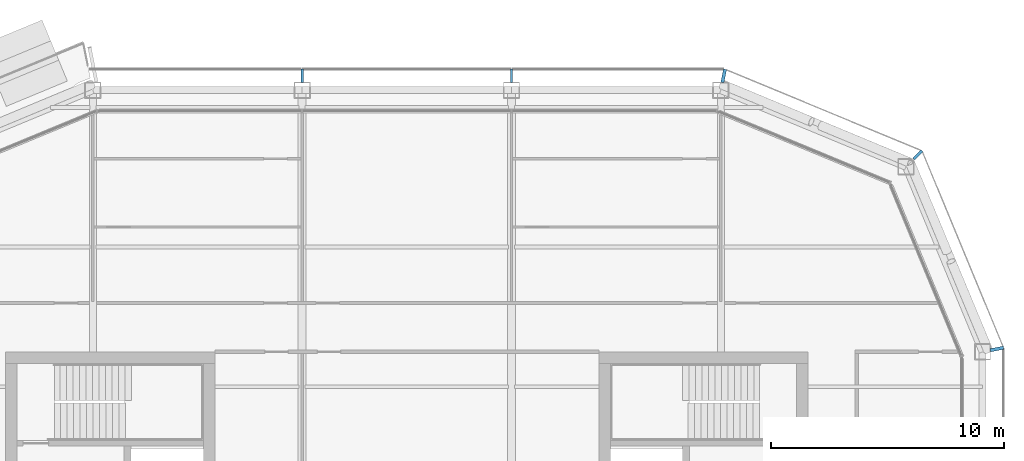
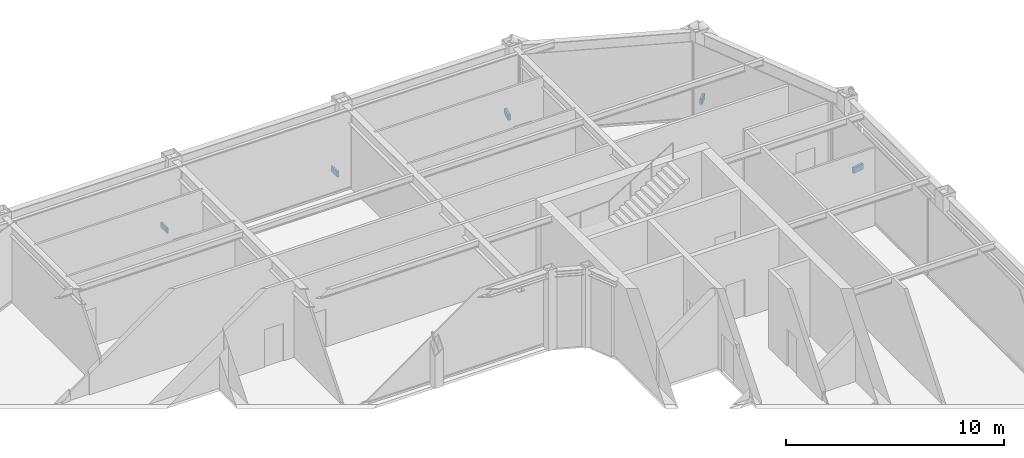
# One storey, part 17 of 22: 5 discrete accessories.
"""IFC4 building model written with IfcOpenShell, lengths in metres."""

from ifc_helpers import new_model, si_unit, direction, frame, origin, origin_2d, place, context, subcontext, project, spatial, rectangle, extrude, material, type_object, element, save


model = new_model("IFC4")

# Units and contexts
model_context = context("Model", 3, precision=1e-05, world=origin(), true_north=direction((0.0, 1.0)))
body_context = subcontext(model_context, "Body", "Model", "MODEL_VIEW")
ifc_project = project(units=[si_unit("LENGTHUNIT", "METRE"), si_unit("AREAUNIT", "SQUARE_METRE"), si_unit("VOLUMEUNIT", "CUBIC_METRE"), si_unit("PLANEANGLEUNIT", "RADIAN"), si_unit("MASSUNIT", "GRAM", prefix="KILO")], contexts=[model_context])

# Site, building, storey
site_placement = place(None, origin())
site = spatial("IfcSite", under=ifc_project, at=site_placement, CompositionType="ELEMENT")
building_placement = place(site_placement, origin())
building = spatial("IfcBuilding", under=site, at=building_placement, Name="Siwar Civic Tower", CompositionType="ELEMENT")
storey_placement = place(building_placement, frame((0.0, 0.0, 330.199951171875)))
storey = spatial("IfcBuildingStorey", under=building, at=storey_placement, Name="L71", CompositionType="ELEMENT", Elevation=330.199951171875)

# Discrete accessories
ifc_material = material(Name="Stainless steel 316", Category="steel")
discrete_accessory_type = type_object("IfcDiscreteAccessoryType", Name="ENV-BRACKET", PredefinedType="BRACKET", material=ifc_material)
for number, where, z_axis, x_axis, name in (
    (1, (4.5, 25.364990234375, -0.14990234375), (0.0, 0.0, 1.0), (0.0, 1.0, 0.0), "Bracket outer skin joint N-01"),
    (2, (-4.5, 25.364990234375, -0.14990234375), (0.0, 0.0, 1.0), (0.0, 1.0, 0.0), "Bracket outer skin joint N-02"),
):
    element("IfcDiscreteAccessory", number, at=place(storey_placement, frame(where, z_axis=z_axis, x_axis=x_axis)), inside=storey, type_object=discrete_accessory_type, Name=name, PredefinedType="BRACKET", context=body_context, shape_type="SweptSolid", body=[
        extrude(rectangle(XDim=0.570068359375, YDim=0.10009765625, at=origin_2d()), origin(), (0.0, 0.0, 1.0), 0.300048828125),
    ])
discrete_accessory_1_placement = place(storey_placement, frame((25.365234375, 13.622314453125, -0.14990234375), z_axis=(0.0, 0.0, 1.0), x_axis=(0.980785280403, 0.195090322016, 0.0)))
element("IfcDiscreteAccessory", 3, at=discrete_accessory_1_placement, inside=storey, type_object=discrete_accessory_type, Name="Bracket outer skin joint V04", PredefinedType="BRACKET", context=body_context, shape_type="SweptSolid", body=[
    extrude(rectangle(XDim=0.580810546875, YDim=0.13720703125, at=origin_2d()), origin(), (0.0, 0.0, 1.0), 0.300048828125),
])
discrete_accessory_2_placement = place(storey_placement, frame((21.96728515625, 21.96728515625, -0.14990234375), z_axis=(0.0, 0.0, 1.0), x_axis=(0.707106781187, 0.707106781187, 0.0)))
element("IfcDiscreteAccessory", 4, at=discrete_accessory_2_placement, inside=storey, type_object=discrete_accessory_type, Name="Bracket outer skin joint V05", PredefinedType="BRACKET", context=body_context, shape_type="SweptSolid", body=[
    extrude(rectangle(XDim=0.499267578125, YDim=0.12939453125, at=origin_2d()), origin(), (0.0, 0.0, 1.0), 0.300048828125),
])
discrete_accessory_3_placement = place(storey_placement, frame((13.622314453125, 25.365234375, -0.14990234375), z_axis=(0.0, 0.0, 1.0), x_axis=(0.195090322016, 0.980785280403, 0.0)))
element("IfcDiscreteAccessory", 5, at=discrete_accessory_3_placement, inside=storey, type_object=discrete_accessory_type, Name="Bracket outer skin joint V06", PredefinedType="BRACKET", context=body_context, shape_type="SweptSolid", body=[
    extrude(rectangle(XDim=0.580810546875, YDim=0.13720703125, at=origin_2d()), origin(), (0.0, 0.0, 1.0), 0.300048828125),
])

save(model, "model.ifc")
